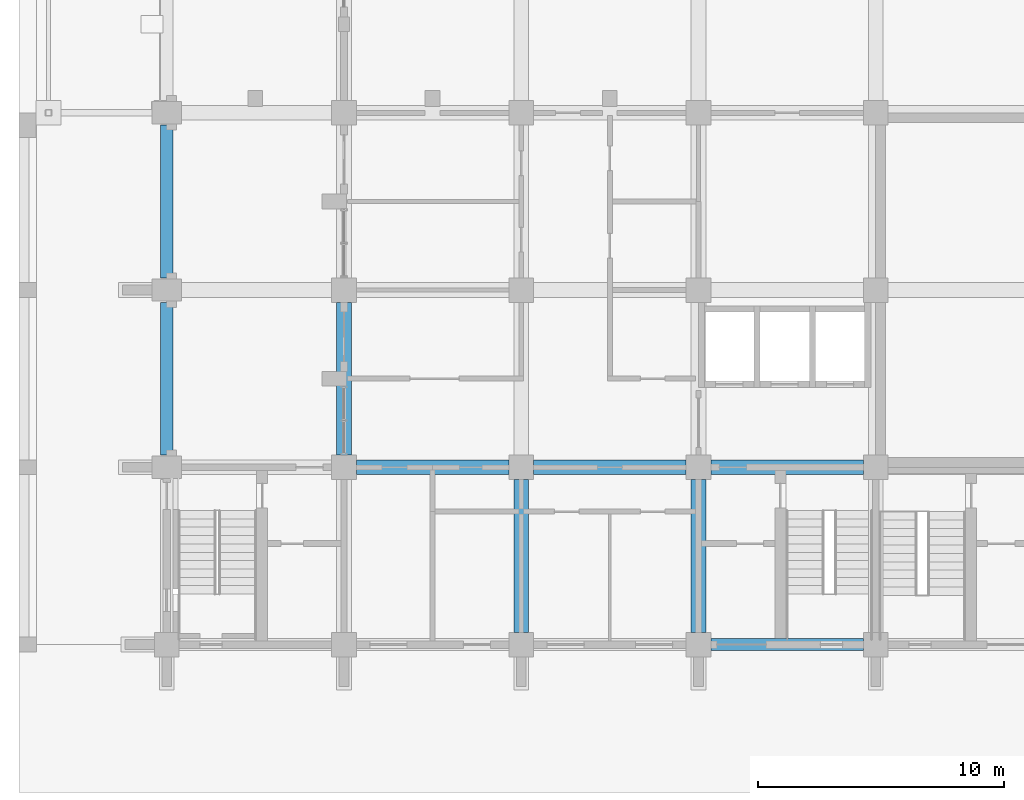
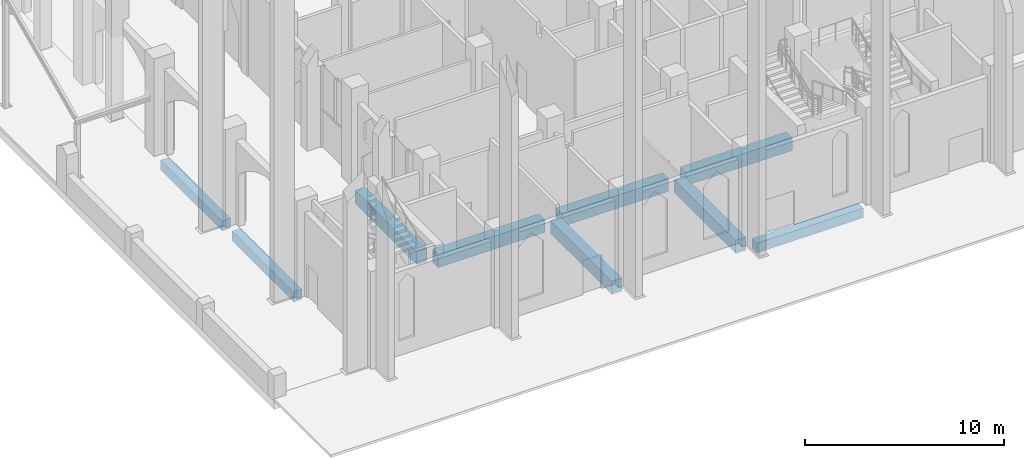
# One storey, part 7 of 50: 9 beams.
"""IFC4 building model written with IfcOpenShell, lengths in metres."""

from ifc_helpers import new_model, si_unit, direction, frame, origin, origin_2d, place, context, subcontext, project, spatial, rectangle, extrude, material, material_profile, profile_set, type_object, element, save


model = new_model("IFC4")

# Units and contexts
model_context = context("Model", 3, precision=1e-05, world=origin(), true_north=direction((0.0, 1.0)))
body_context = subcontext(model_context, "Body", "Model", "MODEL_VIEW")
ifc_project = project(units=[si_unit("LENGTHUNIT", "METRE"), si_unit("AREAUNIT", "SQUARE_METRE"), si_unit("VOLUMEUNIT", "CUBIC_METRE"), si_unit("PLANEANGLEUNIT", "RADIAN"), si_unit("MASSUNIT", "GRAM", prefix="KILO")], contexts=[model_context])

# Site, building, storey
site_placement = place(None, origin())
site = spatial("IfcSite", under=ifc_project, at=site_placement, CompositionType="ELEMENT")
building_placement = place(site_placement, origin())
building = spatial("IfcBuilding", under=site, at=building_placement, Name="Silangan Lancet Faculty of Sciences", CompositionType="ELEMENT")
storey_placement = place(building_placement, origin())
storey = spatial("IfcBuildingStorey", under=building, at=storey_placement, Name="L00", CompositionType="ELEMENT", Elevation=0.0)

# Beams
ifc_material_1 = material(Name="Concrete C40/50", Category="concrete")
ifc_material_profile_1 = material_profile(ifc_material_1, rectangle(XDim=0.5, YDim=0.60009765625, at=origin_2d()), Name="RC 500x600")
ifc_profile_set_1 = profile_set([ifc_material_profile_1], Name="Concrete C40/50")
beam_type_1 = type_object("IfcBeamType", Name="BEAM RC 500x600", PredefinedType="BEAM", material=ifc_profile_set_1)
for number, where, z_axis, x_axis, name in (
    (1, (22.10009765625, 0.0, -0.60009765625), (1.0, 0.0, 0.0), (0.0, 1.0, 0.0), "BM-L00-4A-5A"),
    (2, (0.0, 7.699951171875, -0.60009765625), (0.0, 1.0, 0.0), (-1.0, 0.0, 0.0), "BM-L00-1B-1C"),
):
    element("IfcBeam", number, at=place(storey_placement, frame(where, z_axis=z_axis, x_axis=x_axis)), inside=storey, type_object=beam_type_1, Name=name, PredefinedType="BEAM", context=body_context, shape_type="SweptSolid", body=[
        extrude(rectangle(XDim=0.5, YDim=0.60009765625, at=origin_2d()), origin(), (0.0, 0.0, 1.0), 6.199951171875),
    ])
beam_1_placement = place(storey_placement, frame((0.0, 14.89990234375, -0.60009765625), z_axis=(0.0, 1.0, 0.0), x_axis=(-1.0, 0.0, 0.0)))
element("IfcBeam", 3, at=beam_1_placement, inside=storey, type_object=beam_type_1, Name="BM-L00-1C-1D", PredefinedType="BEAM", context=body_context, shape_type="SweptSolid", body=[
    extrude(rectangle(XDim=0.5, YDim=0.60009765625, at=origin_2d()), origin(), (0.0, 0.0, 1.0), 6.2001953125),
])
ifc_material_2 = material(Name="Concrete C40/50", Category="concrete")
ifc_material_profile_2 = material_profile(ifc_material_2, rectangle(XDim=0.60009765625, YDim=0.800048828125, at=origin_2d()), Name="RC 600x800")
ifc_profile_set_2 = profile_set([ifc_material_profile_2], Name="Concrete C40/50")
beam_type_2 = type_object("IfcBeamType", Name="BEAM RC 600x800", PredefinedType="BEAM", material=ifc_profile_set_2)
beam_2_placement = place(storey_placement, frame((7.699951171875, 7.199951171875, -0.699951171875), z_axis=(1.0, 0.0, 0.0), x_axis=(0.0, 1.0, 0.0)))
element("IfcBeam", 4, at=beam_2_placement, inside=storey, type_object=beam_type_2, Name="BM-L00-2B-3B", PredefinedType="BEAM", context=body_context, shape_type="SweptSolid", body=[
    extrude(rectangle(XDim=0.60009765625, YDim=0.800048828125, at=origin_2d()), origin(), (0.0, 0.0, 1.0), 6.199951171875),
])
beam_3_placement = place(storey_placement, frame((14.89990234375, 7.199951171875, -0.699951171875), z_axis=(1.0, 0.0, 0.0), x_axis=(0.0, 1.0, 0.0)))
element("IfcBeam", 5, at=beam_3_placement, inside=storey, type_object=beam_type_2, Name="BM-L00-3B-4B", PredefinedType="BEAM", context=body_context, shape_type="SweptSolid", body=[
    extrude(rectangle(XDim=0.60009765625, YDim=0.800048828125, at=origin_2d()), origin(), (0.0, 0.0, 1.0), 6.2001953125),
])
for number, where, z_axis, x_axis, name in (
    (6, (22.10009765625, 7.199951171875, -0.699951171875), (1.0, 0.0, 0.0), (0.0, 1.0, 0.0), "BM-L00-4B-5B"),
    (7, (7.199951171875, 7.699951171875, -0.699951171875), (0.0, 1.0, 0.0), (-1.0, 0.0, 0.0), "BM-L00-2B-2C"),
    (8, (14.39990234375, 0.5, -0.699951171875), (0.0, 1.0, 0.0), (-1.0, 0.0, 0.0), "BM-L00-3A-3B"),
    (9, (21.60009765625, 0.5, -0.699951171875), (0.0, 1.0, 0.0), (-1.0, 0.0, 0.0), "BM-L00-4A-4B"),
):
    element("IfcBeam", number, at=place(storey_placement, frame(where, z_axis=z_axis, x_axis=x_axis)), inside=storey, type_object=beam_type_2, Name=name, PredefinedType="BEAM", context=body_context, shape_type="SweptSolid", body=[
        extrude(rectangle(XDim=0.60009765625, YDim=0.800048828125, at=origin_2d()), origin(), (0.0, 0.0, 1.0), 6.199951171875),
    ])

save(model, "model.ifc")
